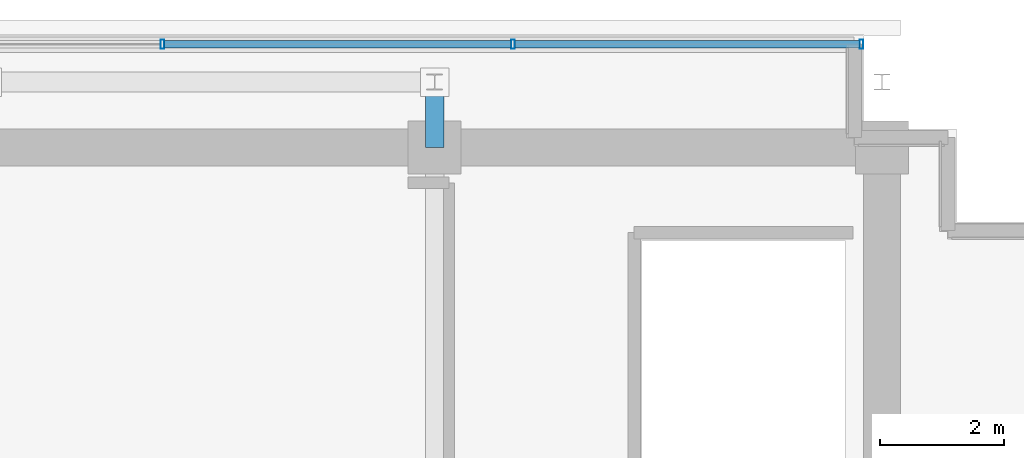
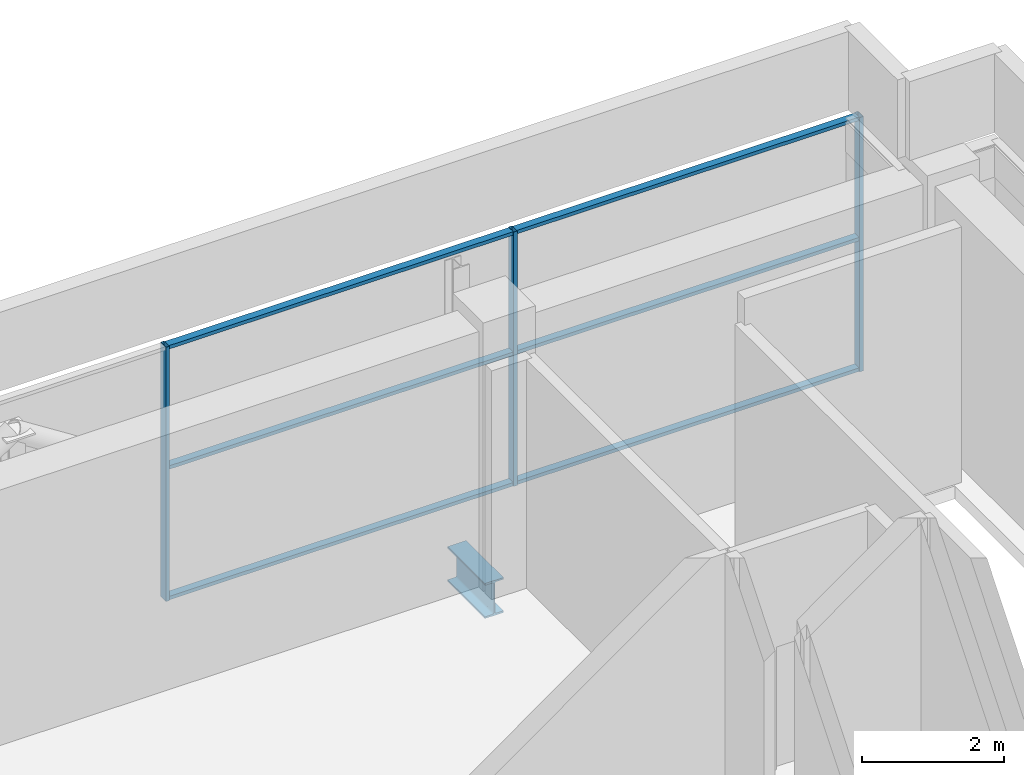
# One storey, part 16 of 22: 9 members, 1 beam, 1 element without a shape of its own.
"""IFC4 building model written with IfcOpenShell, lengths in metres."""

from ifc_helpers import new_model, si_unit, direction, frame, origin, origin_2d, place, context, subcontext, project, spatial, hollow_rectangle, i_section, extrude, source, transform, mapped, material, layer, layer_set, material_profile, profile_set, type_object, element, aggregate, save


model = new_model("IFC4")

# Units and contexts
model_context = context("Model", 3, precision=1e-05, world=origin(), true_north=direction((0.0, 1.0)))
body_context = subcontext(model_context, "Body", "Model", "MODEL_VIEW")
ifc_project = project(units=[si_unit("LENGTHUNIT", "METRE"), si_unit("AREAUNIT", "SQUARE_METRE"), si_unit("VOLUMEUNIT", "CUBIC_METRE"), si_unit("PLANEANGLEUNIT", "RADIAN"), si_unit("MASSUNIT", "GRAM", prefix="KILO")], contexts=[model_context])

# Site, building, storey
site_placement = place(None, origin())
site = spatial("IfcSite", under=ifc_project, at=site_placement, CompositionType="ELEMENT")
building_placement = place(site_placement, origin())
building = spatial("IfcBuilding", under=site, at=building_placement, Name="Zarnakvel Exchange Tower", CompositionType="ELEMENT")
storey_placement = place(building_placement, frame((0.0, 0.0, 299.199951171875)))
storey = spatial("IfcBuildingStorey", under=building, at=storey_placement, Name="Crown L83", CompositionType="ELEMENT", Elevation=299.199951171875)

# Beam
ifc_material_1 = material(Name="Steel S355", Category="steel")
ifc_material_profile_1 = material_profile(ifc_material_1, i_section(OverallWidth=0.300048828125, OverallDepth=0.60009765625, WebThickness=0.015380859375, FlangeThickness=0.030029296875, FilletRadius=0.027099609375, at=origin_2d()))
ifc_profile_set_1 = profile_set([ifc_material_profile_1], Name="Steel S355")
beam_type = type_object("IfcBeamType", Name="G-04", PredefinedType="BEAM", material=ifc_profile_set_1)
beam_placement = place(storey_placement, frame((7.199951171875, 13.5, -0.52001953125), z_axis=(0.0, 1.0, 0.0), x_axis=(-1.0, 0.0, 0.0)))
element("IfcBeam", 1, at=beam_placement, inside=storey, type_object=beam_type, Name="Crown L83 Tower N-S Frame Beam", PredefinedType="BEAM", context=body_context, shape_type="SweptSolid", body=[
    extrude(i_section(OverallWidth=0.300048828125, OverallDepth=0.60009765625, WebThickness=0.015380859375, FlangeThickness=0.030029296875, FilletRadius=0.027099609375, at=origin_2d()), origin(), (0.0, 0.0, 1.0), 1.050048828125),
])

# Curtain wall, members
ifc_material_2 = material(Name="Architectural Bronze Anodised Aluminium", Category="aluminium")
ifc_layer = layer(ifc_material_2, 0.14990234375)
ifc_layer_set = layer_set([ifc_layer], Name="Architectural Bronze Anodised Aluminium")
curtain_wall_type = type_object("IfcCurtainWallType", Name="CW-07", PredefinedType="NOTDEFINED", material=ifc_layer_set)
curtain_wall_placement = place(storey_placement, origin())
curtain_wall = element("IfcCurtainWall", 2, at=curtain_wall_placement, inside=storey, type_object=curtain_wall_type, Name="Crown L83 Curtain Wall CW-Crown L83-N (CW-07)", PredefinedType="NOTDEFINED")
ifc_material_profile_2 = material_profile(ifc_material_2, hollow_rectangle(XDim=0.14990234375, YDim=0.06005859375, WallThickness=0.00390625, at=origin_2d()))
ifc_profile_set_2 = profile_set([ifc_material_profile_2], Name="Architectural Bronze Anodised Aluminium")
member_type_1 = type_object("IfcMemberType", Name="CWM-07", PredefinedType="MULLION", material=ifc_profile_set_2)
shared_shape_1 = source(origin(), body_context, "Body", "SweptSolid", [
    extrude(hollow_rectangle(XDim=0.14990234375, YDim=0.06005859375, WallThickness=0.00390625, at=origin_2d()), origin(), (0.0, 0.0, 1.0), 4.360107421875),
])
member_1_placement = place(storey_placement, frame((2.820068359375, 15.159912109375, 0.0), z_axis=(0.0, 0.0, 1.0), x_axis=(0.0, 1.0, 0.0)))
member_1 = element("IfcMember", 3, at=member_1_placement, type_object=member_type_1, Name="CW-07 mullion 4", PredefinedType="MULLION", context=body_context, shape_type="MappedRepresentation", body=[
    mapped(shared_shape_1, transform((0.0, 0.0, 0.0), x_axis=(1.0, 0.0, 0.0), y_axis=(0.0, 1.0, 0.0), z_axis=(0.0, 0.0, 1.0), scale=1.0)),
])
member_2_placement = place(storey_placement, frame((8.4599609375, 15.159912109375, 0.0), z_axis=(0.0, 0.0, 1.0), x_axis=(0.0, 1.0, 0.0)))
member_2 = element("IfcMember", 4, at=member_2_placement, type_object=member_type_1, Name="CW-07 mullion 5", PredefinedType="MULLION", context=body_context, shape_type="MappedRepresentation", body=[
    mapped(shared_shape_1, transform((0.0, 0.0, 0.0), x_axis=(1.0, 0.0, 0.0), y_axis=(0.0, 1.0, 0.0), z_axis=(0.0, 0.0, 1.0), scale=1.0)),
])
member_3_placement = place(storey_placement, frame((14.070068359375, 15.159912109375, 0.0), z_axis=(0.0, 0.0, 1.0), x_axis=(0.0, 1.0, 0.0)))
member_3 = element("IfcMember", 5, at=member_3_placement, type_object=member_type_1, Name="CW-07 mullion 6", PredefinedType="MULLION", context=body_context, shape_type="MappedRepresentation", body=[
    mapped(shared_shape_1, transform((0.0, 0.0, 0.0), x_axis=(1.0, 0.0, 0.0), y_axis=(0.0, 1.0, 0.0), z_axis=(0.0, 0.0, 1.0), scale=1.0)),
])
ifc_material_profile_3 = material_profile(ifc_material_2, hollow_rectangle(XDim=0.1201171875, YDim=0.06005859375, WallThickness=0.00390625, at=origin_2d()))
ifc_profile_set_3 = profile_set([ifc_material_profile_3], Name="Architectural Bronze Anodised Aluminium")
member_type_2 = type_object("IfcMemberType", Name="CWT-07", PredefinedType="USERDEFINED", material=ifc_profile_set_3)
shared_shape_2 = source(origin(), body_context, "Body", "SweptSolid", [
    extrude(hollow_rectangle(XDim=0.1201171875, YDim=0.06005859375, WallThickness=0.00390625, at=origin_2d()), origin(), (0.0, 0.0, 1.0), 5.550048828125),
])
member_4_placement = place(storey_placement, frame((8.489990234375, 15.159912109375, 0.030029296875), z_axis=(1.0, 0.0, 0.0), x_axis=(0.0, 1.0, 0.0)))
member_4 = element("IfcMember", 6, at=member_4_placement, type_object=member_type_2, Name="CW-07 transom 5.1", ObjectType="TRANSOM", PredefinedType="USERDEFINED", context=body_context, shape_type="MappedRepresentation", body=[
    mapped(shared_shape_2, transform((0.0, 0.0, 0.0), x_axis=(1.0, 0.0, 0.0), y_axis=(0.0, 1.0, 0.0), z_axis=(0.0, 0.0, 1.0), scale=1.0)),
])
member_5_placement = place(storey_placement, frame((8.489990234375, 15.159912109375, 2.267333984375), z_axis=(1.0, 0.0, 0.0), x_axis=(0.0, 1.0, 0.0)))
member_5 = element("IfcMember", 7, at=member_5_placement, type_object=member_type_2, Name="CW-07 transom 5.2", ObjectType="TRANSOM", PredefinedType="USERDEFINED", context=body_context, shape_type="MappedRepresentation", body=[
    mapped(shared_shape_2, transform((0.0, 0.0, 0.0), x_axis=(1.0, 0.0, 0.0), y_axis=(0.0, 1.0, 0.0), z_axis=(0.0, 0.0, 1.0), scale=1.0)),
])
member_6_placement = place(storey_placement, frame((8.489990234375, 15.159912109375, 4.330078125), z_axis=(1.0, 0.0, 0.0), x_axis=(0.0, 1.0, 0.0)))
member_6 = element("IfcMember", 8, at=member_6_placement, type_object=member_type_2, Name="CW-07 transom 5.3", ObjectType="TRANSOM", PredefinedType="USERDEFINED", context=body_context, shape_type="MappedRepresentation", body=[
    mapped(shared_shape_2, transform((0.0, 0.0, 0.0), x_axis=(1.0, 0.0, 0.0), y_axis=(0.0, 1.0, 0.0), z_axis=(0.0, 0.0, 1.0), scale=1.0)),
])
shared_shape_3 = source(origin(), body_context, "Body", "SweptSolid", [
    extrude(hollow_rectangle(XDim=0.1201171875, YDim=0.06005859375, WallThickness=0.00390625, at=origin_2d()), origin(), (0.0, 0.0, 1.0), 5.579833984375),
])
member_7_placement = place(storey_placement, frame((2.85009765625, 15.159912109375, 0.030029296875), z_axis=(1.0, 0.0, 0.0), x_axis=(0.0, 1.0, 0.0)))
member_7 = element("IfcMember", 9, at=member_7_placement, type_object=member_type_2, Name="CW-07 transom 4.1", ObjectType="TRANSOM", PredefinedType="USERDEFINED", context=body_context, shape_type="MappedRepresentation", body=[
    mapped(shared_shape_3, transform((0.0, 0.0, 0.0), x_axis=(1.0, 0.0, 0.0), y_axis=(0.0, 1.0, 0.0), z_axis=(0.0, 0.0, 1.0), scale=1.0)),
])
member_8_placement = place(storey_placement, frame((2.85009765625, 15.159912109375, 2.267333984375), z_axis=(1.0, 0.0, 0.0), x_axis=(0.0, 1.0, 0.0)))
member_8 = element("IfcMember", 10, at=member_8_placement, type_object=member_type_2, Name="CW-07 transom 4.2", ObjectType="TRANSOM", PredefinedType="USERDEFINED", context=body_context, shape_type="MappedRepresentation", body=[
    mapped(shared_shape_3, transform((0.0, 0.0, 0.0), x_axis=(1.0, 0.0, 0.0), y_axis=(0.0, 1.0, 0.0), z_axis=(0.0, 0.0, 1.0), scale=1.0)),
])
member_9_placement = place(storey_placement, frame((2.85009765625, 15.159912109375, 4.330078125), z_axis=(1.0, 0.0, 0.0), x_axis=(0.0, 1.0, 0.0)))
member_9 = element("IfcMember", 11, at=member_9_placement, type_object=member_type_2, Name="CW-07 transom 4.3", ObjectType="TRANSOM", PredefinedType="USERDEFINED", context=body_context, shape_type="MappedRepresentation", body=[
    mapped(shared_shape_3, transform((0.0, 0.0, 0.0), x_axis=(1.0, 0.0, 0.0), y_axis=(0.0, 1.0, 0.0), z_axis=(0.0, 0.0, 1.0), scale=1.0)),
])
aggregate(curtain_wall, [member_1, member_2, member_3, member_7, member_8, member_9, member_4, member_5, member_6])

save(model, "model.ifc")
